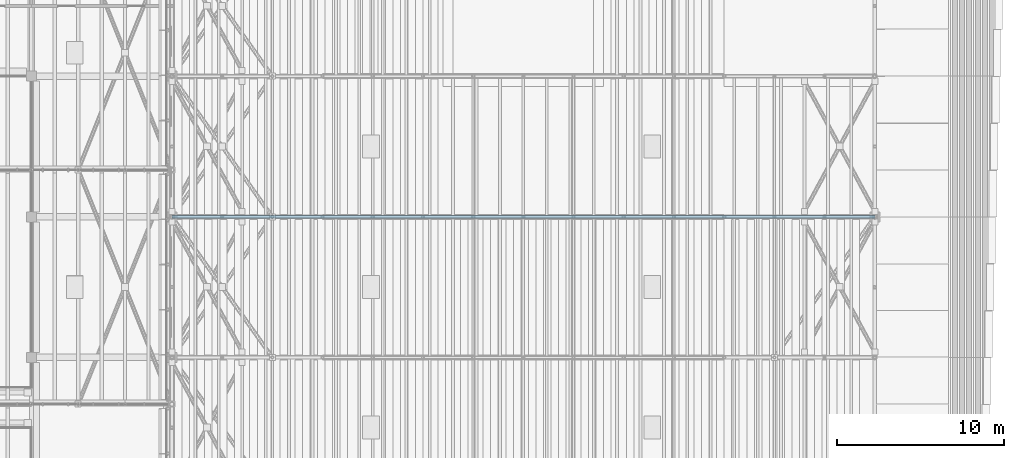
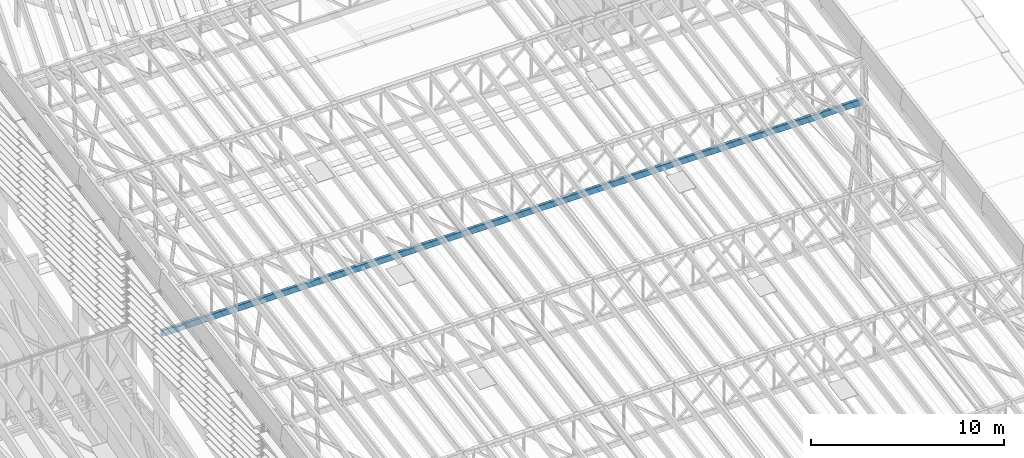
# One storey, part 28 of 91: 1 member.
"""IFC4 building model written with IfcOpenShell, lengths in metres."""

from ifc_helpers import new_model, si_unit, direction, frame, origin, origin_2d, place, context, subcontext, project, spatial, hollow_rectangle, extrude, material, material_profile, profile_set, type_object, element, save


model = new_model("IFC4")

# Units and contexts
model_context = context("Model", 3, precision=1e-05, world=origin(), true_north=direction((0.0, 1.0)))
body_context = subcontext(model_context, "Body", "Model", "MODEL_VIEW")
ifc_project = project(units=[si_unit("LENGTHUNIT", "METRE"), si_unit("AREAUNIT", "SQUARE_METRE"), si_unit("VOLUMEUNIT", "CUBIC_METRE"), si_unit("PLANEANGLEUNIT", "RADIAN"), si_unit("MASSUNIT", "GRAM", prefix="KILO")], contexts=[model_context])

# Site, building, storey
site_placement = place(None, origin())
site = spatial("IfcSite", under=ifc_project, at=site_placement, CompositionType="ELEMENT")
building_placement = place(site_placement, origin())
building = spatial("IfcBuilding", under=site, at=building_placement, Name="Almond Square Museum", CompositionType="ELEMENT")
storey_placement = place(building_placement, frame((0.0, 0.0, 30.0)))
storey = spatial("IfcBuildingStorey", under=building, at=storey_placement, Name="L05", CompositionType="ELEMENT", Elevation=30.0)

# Member
ifc_material = material(Name="Structural steel S355", Category="steel")
ifc_material_profile = material_profile(ifc_material, hollow_rectangle(XDim=0.199951171875, YDim=0.39990234375, WallThickness=0.012451171875, InnerFilletRadius=0.02490234375, OuterFilletRadius=0.03759765625, at=origin_2d()))
ifc_profile_set = profile_set([ifc_material_profile], Name="Structural steel S355")
member_type = type_object("IfcMemberType", Name="Truss chord RHS 400x200x12.5", PredefinedType="CHORD", material=ifc_profile_set)
member_placement = place(storey_placement, frame((106.800048828125, 92.39990234375, 11.050048828125), z_axis=(1.0, 0.0, 0.0), x_axis=(0.0, 1.0, 0.0)))
element("IfcMember", 1, at=member_placement, inside=storey, type_object=member_type, Name="TR-06 bottom chord 1 to 14", PredefinedType="CHORD", context=body_context, shape_type="SweptSolid", body=[
    extrude(hollow_rectangle(XDim=0.199951171875, YDim=0.39990234375, WallThickness=0.012451171875, InnerFilletRadius=0.02490234375, OuterFilletRadius=0.03759765625, at=origin_2d()), origin(), (0.0, 0.0, 1.0), 42.0),
])

save(model, "model.ifc")
